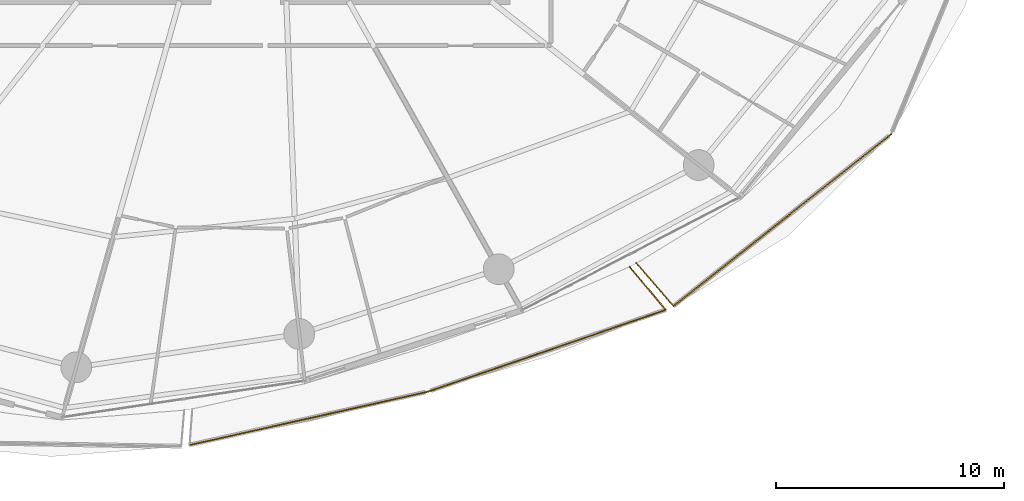
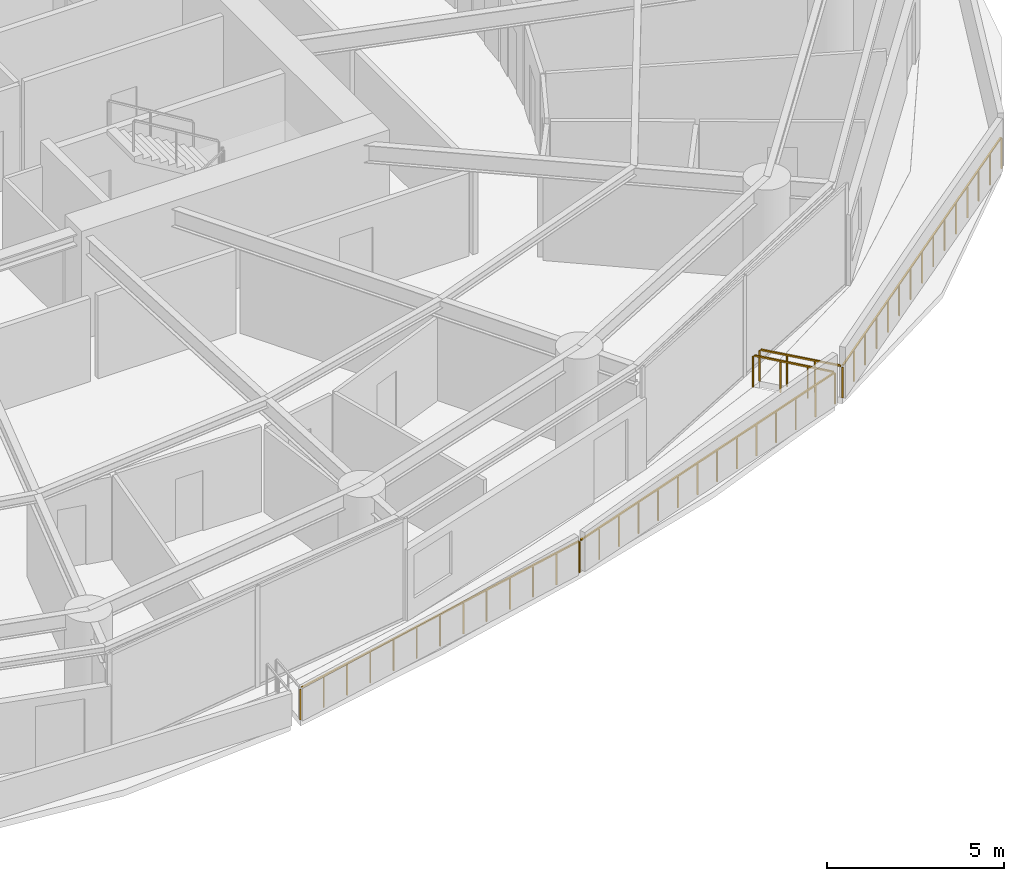
# One storey, part 28 of 32: 5 railings.
"""IFC4 building model written with IfcOpenShell, lengths in metres."""

from ifc_helpers import new_model, si_unit, direction, frame, origin, origin_2d, place, context, subcontext, project, spatial, rectangle, extrude, material, type_object, element, save


model = new_model("IFC4")

# Units and contexts
model_context = context("Model", 3, precision=1e-05, world=origin(), true_north=direction((0.0, 1.0)))
body_context = subcontext(model_context, "Body", "Model", "MODEL_VIEW")
ifc_project = project(units=[si_unit("LENGTHUNIT", "METRE"), si_unit("AREAUNIT", "SQUARE_METRE"), si_unit("VOLUMEUNIT", "CUBIC_METRE"), si_unit("PLANEANGLEUNIT", "RADIAN"), si_unit("MASSUNIT", "GRAM", prefix="KILO")], contexts=[model_context])

# Site, building, storey
site_placement = place(None, origin())
site = spatial("IfcSite", under=ifc_project, at=site_placement, CompositionType="ELEMENT")
building_placement = place(site_placement, origin())
building = spatial("IfcBuilding", under=site, at=building_placement, Name="Kazma Halo Residences", CompositionType="ELEMENT")
storey_placement = place(building_placement, frame((0.0, 0.0, 63.89990234375)))
storey = spatial("IfcBuildingStorey", under=building, at=storey_placement, Name="L15", CompositionType="ELEMENT", Elevation=63.89990234375)

# Railings
ifc_material = material(Name="Aluminium AW-6063 T6 Brushed Cap Rail", Category="aluminium")
railing_type = type_object("IfcRailingType", Name="RLG-BAL-CAP-1120", PredefinedType="BALUSTRADE", material=ifc_material)
railing_1_placement = place(storey_placement, frame((45.949462890625, 13.738525390625, 0.0)))
element("IfcRailing", 1, at=railing_1_placement, inside=storey, type_object=railing_type, Name="L15 SSE wave balcony guard 2", PredefinedType="BALUSTRADE", context=body_context, shape_type="SweptSolid", body=[
    extrude(rectangle(XDim=0.050048828125, YDim=0.050048828125, at=origin_2d()), frame((0.04150390625, 0.00927734375, 1.09521484375), z_axis=(0.975845384568, 0.218462320361, 0.0), x_axis=(-0.218462320361, 0.975845384568, 0.0)), (0.0, 0.0, 1.0), 10.6455078125),
    extrude(rectangle(XDim=0.0400390625, YDim=0.0400390625, at=origin_2d()), origin(), (0.0, 0.0, 1.0), 1.05810546875),
    extrude(rectangle(XDim=0.0400390625, YDim=0.0400390625, at=origin_2d()), frame((0.87255859375, 0.1953125, 0.0)), (0.0, 0.0, 1.0), 1.05810546875),
    extrude(rectangle(XDim=0.0400390625, YDim=0.0400390625, at=origin_2d()), frame((1.7451171875, 0.390625, 0.0)), (0.0, 0.0, 1.0), 1.05810546875),
    extrude(rectangle(XDim=0.0400390625, YDim=0.0400390625, at=origin_2d()), frame((2.617919921875, 0.5859375, 0.0)), (0.0, 0.0, 1.0), 1.05810546875),
    extrude(rectangle(XDim=0.0400390625, YDim=0.0400390625, at=origin_2d()), frame((3.490478515625, 0.781494140625, 0.0)), (0.0, 0.0, 1.0), 1.05810546875),
    extrude(rectangle(XDim=0.0400390625, YDim=0.0400390625, at=origin_2d()), frame((4.363037109375, 0.976806640625, 0.0)), (0.0, 0.0, 1.0), 1.05810546875),
    extrude(rectangle(XDim=0.0400390625, YDim=0.0400390625, at=origin_2d()), frame((5.23583984375, 1.172119140625, 0.0)), (0.0, 0.0, 1.0), 1.05810546875),
    extrude(rectangle(XDim=0.0400390625, YDim=0.0400390625, at=origin_2d()), frame((6.1083984375, 1.367431640625, 0.0)), (0.0, 0.0, 1.0), 1.05810546875),
    extrude(rectangle(XDim=0.0400390625, YDim=0.0400390625, at=origin_2d()), frame((6.98095703125, 1.562744140625, 0.0)), (0.0, 0.0, 1.0), 1.05810546875),
    extrude(rectangle(XDim=0.0400390625, YDim=0.0400390625, at=origin_2d()), frame((7.853515625, 1.75830078125, 0.0)), (0.0, 0.0, 1.0), 1.05810546875),
    extrude(rectangle(XDim=0.0400390625, YDim=0.0400390625, at=origin_2d()), frame((8.72607421875, 1.95361328125, 0.0)), (0.0, 0.0, 1.0), 1.05810546875),
    extrude(rectangle(XDim=0.0400390625, YDim=0.0400390625, at=origin_2d()), frame((9.598876953125, 2.14892578125, 0.0)), (0.0, 0.0, 1.0), 1.05810546875),
    extrude(rectangle(XDim=0.0400390625, YDim=0.0400390625, at=origin_2d()), frame((10.471435546875, 2.34423828125, 0.0)), (0.0, 0.0, 1.0), 1.05810546875),
])
railing_2_placement = place(storey_placement, frame((56.4208984375, 16.082763671875, 0.0)))
element("IfcRailing", 2, at=railing_2_placement, inside=storey, type_object=railing_type, Name="L15 SSE wave balcony guard 3", PredefinedType="BALUSTRADE", context=body_context, shape_type="SweptSolid", body=[
    extrude(rectangle(XDim=0.050048828125, YDim=0.050048828125, at=origin_2d()), frame((0.040283203125, 0.013916015625, 1.09521484375), z_axis=(0.945564975661, 0.325433367687, 0.0), x_axis=(-0.325433367687, 0.945564975661, 0.0)), (0.0, 0.0, 1.0), 10.932373046875),
    extrude(rectangle(XDim=0.0400390625, YDim=0.0400390625, at=origin_2d()), origin(), (0.0, 0.0, 1.0), 1.05810546875),
    extrude(rectangle(XDim=0.0400390625, YDim=0.0400390625, at=origin_2d()), frame((0.80126953125, 0.27587890625, 0.0)), (0.0, 0.0, 1.0), 1.05810546875),
    extrude(rectangle(XDim=0.0400390625, YDim=0.0400390625, at=origin_2d()), frame((1.602783203125, 0.551513671875, 0.0)), (0.0, 0.0, 1.0), 1.05810546875),
    extrude(rectangle(XDim=0.0400390625, YDim=0.0400390625, at=origin_2d()), frame((2.404052734375, 0.827392578125, 0.0)), (0.0, 0.0, 1.0), 1.05810546875),
    extrude(rectangle(XDim=0.0400390625, YDim=0.0400390625, at=origin_2d()), frame((3.20556640625, 1.103271484375, 0.0)), (0.0, 0.0, 1.0), 1.05810546875),
    extrude(rectangle(XDim=0.0400390625, YDim=0.0400390625, at=origin_2d()), frame((4.0068359375, 1.37890625, 0.0)), (0.0, 0.0, 1.0), 1.05810546875),
    extrude(rectangle(XDim=0.0400390625, YDim=0.0400390625, at=origin_2d()), frame((4.80810546875, 1.65478515625, 0.0)), (0.0, 0.0, 1.0), 1.05810546875),
    extrude(rectangle(XDim=0.0400390625, YDim=0.0400390625, at=origin_2d()), frame((5.609619140625, 1.9306640625, 0.0)), (0.0, 0.0, 1.0), 1.05810546875),
    extrude(rectangle(XDim=0.0400390625, YDim=0.0400390625, at=origin_2d()), frame((6.410888671875, 2.20654296875, 0.0)), (0.0, 0.0, 1.0), 1.05810546875),
    extrude(rectangle(XDim=0.0400390625, YDim=0.0400390625, at=origin_2d()), frame((7.212158203125, 2.482177734375, 0.0)), (0.0, 0.0, 1.0), 1.05810546875),
    extrude(rectangle(XDim=0.0400390625, YDim=0.0400390625, at=origin_2d()), frame((8.013671875, 2.758056640625, 0.0)), (0.0, 0.0, 1.0), 1.05810546875),
    extrude(rectangle(XDim=0.0400390625, YDim=0.0400390625, at=origin_2d()), frame((8.81494140625, 3.033935546875, 0.0)), (0.0, 0.0, 1.0), 1.05810546875),
    extrude(rectangle(XDim=0.0400390625, YDim=0.0400390625, at=origin_2d()), frame((9.616455078125, 3.3095703125, 0.0)), (0.0, 0.0, 1.0), 1.05810546875),
    extrude(rectangle(XDim=0.0400390625, YDim=0.0400390625, at=origin_2d()), frame((10.417724609375, 3.58544921875, 0.0)), (0.0, 0.0, 1.0), 1.05810546875),
])
railing_3_placement = place(storey_placement, frame((66.838623046875, 19.668212890625, 0.0)))
element("IfcRailing", 3, at=railing_3_placement, inside=storey, type_object=railing_type, Name="L15 SSE wave balcony guard 4", PredefinedType="BALUSTRADE", context=body_context, shape_type="SweptSolid", body=[
    extrude(rectangle(XDim=0.050048828125, YDim=0.050048828125, at=origin_2d()), frame((-0.02734375, 0.032470703125, 1.09521484375), z_axis=(-0.644836604623, 0.764320451995, 0.0), x_axis=(-0.764320451995, -0.644836604623, 0.0)), (0.0, 0.0, 1.0), 2.381103515625),
    extrude(rectangle(XDim=0.0400390625, YDim=0.0400390625, at=origin_2d()), origin(), (0.0, 0.0, 1.0), 1.05810546875),
    extrude(rectangle(XDim=0.0400390625, YDim=0.0400390625, at=origin_2d()), frame((-0.530029296875, 0.62841796875, 0.0)), (0.0, 0.0, 1.0), 1.05810546875),
    extrude(rectangle(XDim=0.0400390625, YDim=0.0400390625, at=origin_2d()), frame((-1.060302734375, 1.256591796875, 0.0)), (0.0, 0.0, 1.0), 1.05810546875),
    extrude(rectangle(XDim=0.0400390625, YDim=0.0400390625, at=origin_2d()), frame((-1.59033203125, 1.885009765625, 0.0)), (0.0, 0.0, 1.0), 1.05810546875),
])
railing_4_placement = place(storey_placement, frame((65.546142578125, 21.70849609375, 0.0)))
element("IfcRailing", 4, at=railing_4_placement, inside=storey, type_object=railing_type, Name="L15 SE wave balcony guard 1", PredefinedType="BALUSTRADE", context=body_context, shape_type="SweptSolid", body=[
    extrude(rectangle(XDim=0.050048828125, YDim=0.050048828125, at=origin_2d()), frame((0.02783203125, -0.0322265625, 1.09521484375), z_axis=(0.654069906555, -0.756434106409, 0.0), x_axis=(0.756434106409, 0.654069906555, 0.0)), (0.0, 0.0, 1.0), 2.400146484375),
    extrude(rectangle(XDim=0.0400390625, YDim=0.0400390625, at=origin_2d()), origin(), (0.0, 0.0, 1.0), 1.05810546875),
    extrude(rectangle(XDim=0.0400390625, YDim=0.0400390625, at=origin_2d()), frame((0.541748046875, -0.626708984375, 0.0)), (0.0, 0.0, 1.0), 1.05810546875),
    extrude(rectangle(XDim=0.0400390625, YDim=0.0400390625, at=origin_2d()), frame((1.083740234375, -1.253173828125, 0.0)), (0.0, 0.0, 1.0), 1.05810546875),
    extrude(rectangle(XDim=0.0400390625, YDim=0.0400390625, at=origin_2d()), frame((1.62548828125, -1.8798828125, 0.0)), (0.0, 0.0, 1.0), 1.05810546875),
])
railing_5_placement = place(storey_placement, frame((67.171630859375, 19.82861328125, 0.0)))
element("IfcRailing", 5, at=railing_5_placement, inside=storey, type_object=railing_type, Name="L15 SE wave balcony guard 2", PredefinedType="BALUSTRADE", context=body_context, shape_type="SweptSolid", body=[
    extrude(rectangle(XDim=0.050048828125, YDim=0.050048828125, at=origin_2d()), frame((0.033447265625, 0.0263671875, 1.09521484375), z_axis=(0.784769725579, 0.619787445674, 0.0), x_axis=(-0.619787445674, 0.784769725579, 0.0)), (0.0, 0.0, 1.0), 12.078857421875),
    extrude(rectangle(XDim=0.0400390625, YDim=0.0400390625, at=origin_2d()), origin(), (0.0, 0.0, 1.0), 1.05810546875),
    extrude(rectangle(XDim=0.0400390625, YDim=0.0400390625, at=origin_2d()), frame((0.681884765625, 0.53857421875, 0.0)), (0.0, 0.0, 1.0), 1.05810546875),
    extrude(rectangle(XDim=0.0400390625, YDim=0.0400390625, at=origin_2d()), frame((1.36376953125, 1.076904296875, 0.0)), (0.0, 0.0, 1.0), 1.05810546875),
    extrude(rectangle(XDim=0.0400390625, YDim=0.0400390625, at=origin_2d()), frame((2.045654296875, 1.615478515625, 0.0)), (0.0, 0.0, 1.0), 1.05810546875),
    extrude(rectangle(XDim=0.0400390625, YDim=0.0400390625, at=origin_2d()), frame((2.727294921875, 2.154052734375, 0.0)), (0.0, 0.0, 1.0), 1.05810546875),
    extrude(rectangle(XDim=0.0400390625, YDim=0.0400390625, at=origin_2d()), frame((3.4091796875, 2.692626953125, 0.0)), (0.0, 0.0, 1.0), 1.05810546875),
    extrude(rectangle(XDim=0.0400390625, YDim=0.0400390625, at=origin_2d()), frame((4.091064453125, 3.23095703125, 0.0)), (0.0, 0.0, 1.0), 1.05810546875),
    extrude(rectangle(XDim=0.0400390625, YDim=0.0400390625, at=origin_2d()), frame((4.77294921875, 3.76953125, 0.0)), (0.0, 0.0, 1.0), 1.05810546875),
    extrude(rectangle(XDim=0.0400390625, YDim=0.0400390625, at=origin_2d()), frame((5.454833984375, 4.30810546875, 0.0)), (0.0, 0.0, 1.0), 1.05810546875),
    extrude(rectangle(XDim=0.0400390625, YDim=0.0400390625, at=origin_2d()), frame((6.13671875, 4.846435546875, 0.0)), (0.0, 0.0, 1.0), 1.05810546875),
    extrude(rectangle(XDim=0.0400390625, YDim=0.0400390625, at=origin_2d()), frame((6.818603515625, 5.385009765625, 0.0)), (0.0, 0.0, 1.0), 1.05810546875),
    extrude(rectangle(XDim=0.0400390625, YDim=0.0400390625, at=origin_2d()), frame((7.500244140625, 5.923583984375, 0.0)), (0.0, 0.0, 1.0), 1.05810546875),
    extrude(rectangle(XDim=0.0400390625, YDim=0.0400390625, at=origin_2d()), frame((8.18212890625, 6.462158203125, 0.0)), (0.0, 0.0, 1.0), 1.05810546875),
    extrude(rectangle(XDim=0.0400390625, YDim=0.0400390625, at=origin_2d()), frame((8.864013671875, 7.00048828125, 0.0)), (0.0, 0.0, 1.0), 1.05810546875),
    extrude(rectangle(XDim=0.0400390625, YDim=0.0400390625, at=origin_2d()), frame((9.5458984375, 7.5390625, 0.0)), (0.0, 0.0, 1.0), 1.05810546875),
])

save(model, "model.ifc")
